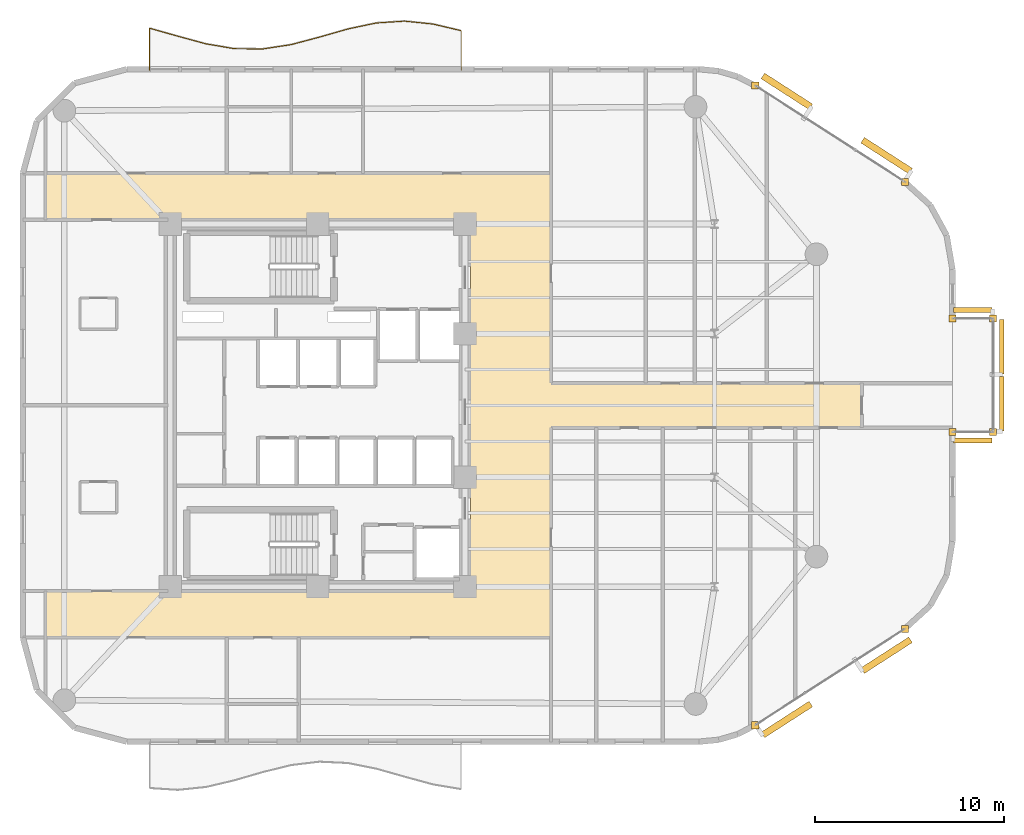
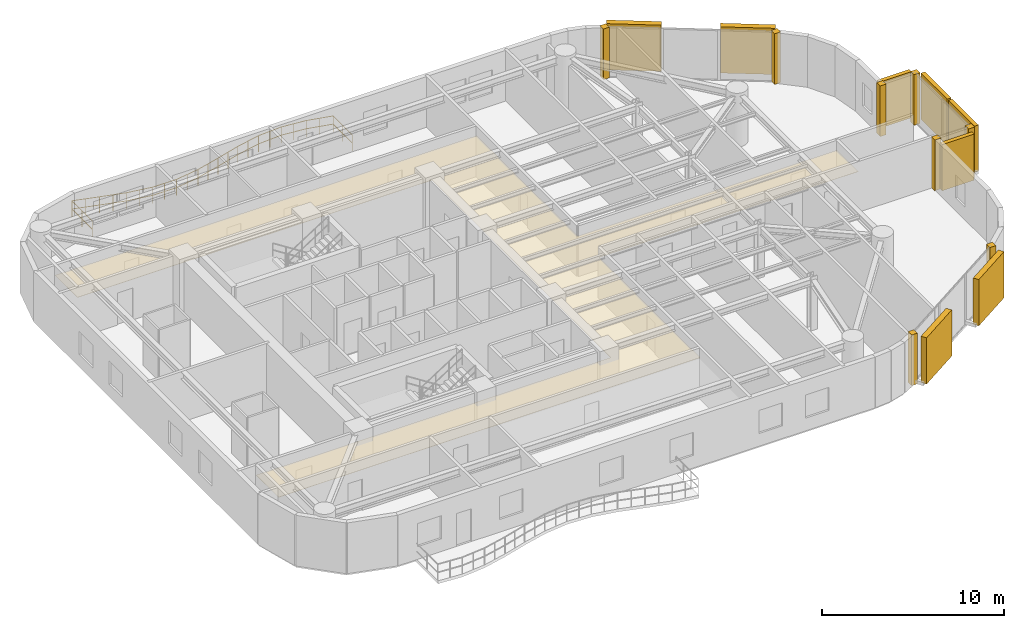
# One storey, part 13 of 13: 9 coverings, 8 shading devices, 1 railing.
"""IFC4 building model written with IfcOpenShell, lengths in metres."""

import ifcopenshell
import ifcopenshell.guid

model = None  # the IFC model being written
_history = None  # IfcOwnerHistory: only IFC2X3 demands one
_inside = {}  # id of a spatial element -> (the spatial element, [elements in it])
_under = {}  # id of a project, library or spatial element -> (it, [spatial elements below it])
_declared = {}  # id of a project -> (the project, [libraries it declares])
_typed = {}  # id of a type object -> (the type object, [elements of that type])
_made_of = {}  # id of a material, layer set ... -> (it, [elements and type objects made of it])


def new_model(schema):
    """Start an empty IFC model of exactly this schema.

    Asked for "IFC4X3", IfcOpenShell would pick the latest addendum, in which some entities
    have other attributes; the version numbers below select the first issue.
    IFC2X3 requires an IfcOwnerHistory on every rooted entity: one is made here for all.
    """
    global model, _history
    if schema == "IFC4X3":
        model = ifcopenshell.file(schema_version=(4, 3, 0, 0))
    else:
        model = ifcopenshell.file(schema=schema)
    _inside.clear()
    _under.clear()
    _declared.clear()
    _typed.clear()
    _made_of.clear()
    _history = None
    if model.schema == "IFC2X3":
        org = make("IfcOrganization", Name="unknown")
        user = make(
            "IfcPersonAndOrganization",
            ThePerson=make("IfcPerson", FamilyName="unknown"),
            TheOrganization=org,
        )
        app = make(
            "IfcApplication",
            ApplicationDeveloper=org,
            Version="unknown",
            ApplicationFullName="unknown",
            ApplicationIdentifier="unknown",
        )
        _history = make(
            "IfcOwnerHistory",
            OwningUser=user,
            OwningApplication=app,
            ChangeAction="ADDED",
            CreationDate=0,
        )
    return model


def make(cls, **values):
    """One entity of the class cls with the attributes given. An attribute that is None is left unset."""
    return model.create_entity(
        cls, **{name: value for name, value in values.items() if value is not None}
    )


def rooted(cls, **values):
    """An entity with a GlobalId (a new one), such as an element, a storey or a relation."""
    return make(cls, GlobalId=ifcopenshell.guid.new(), OwnerHistory=_history, **values)


def si_unit(unit_type, name, prefix=None):
    """IfcSIUnit, for example si_unit("LENGTHUNIT", "METRE", prefix="MILLI")."""
    return make("IfcSIUnit", UnitType=unit_type, Prefix=prefix, Name=name)


def assignment(units):
    """IfcUnitAssignment: the units of a project."""
    return None if units is None else make("IfcUnitAssignment", Units=units)


def point(xyz):
    """IfcCartesianPoint."""
    return None if xyz is None else make("IfcCartesianPoint", Coordinates=xyz)


def direction(xyz):
    """IfcDirection."""
    return None if xyz is None else make("IfcDirection", DirectionRatios=xyz)


def frame(location, z_axis=None, x_axis=None):
    """IfcAxis2Placement3D, a coordinate frame: its origin and axes. An axis left out is left unset."""
    return make(
        "IfcAxis2Placement3D",
        Location=point(location),
        Axis=direction(z_axis),
        RefDirection=direction(x_axis),
    )


def frame_2d(location, x_axis=None):
    """IfcAxis2Placement2D, a coordinate frame in the plane: its origin and x axis."""
    return make(
        "IfcAxis2Placement2D", Location=point(location), RefDirection=direction(x_axis)
    )


def origin():
    """The frame at (0, 0, 0) with its axes left unset."""
    return frame((0.0, 0.0, 0.0))


def origin_2d():
    """The frame at (0, 0) in the plane with its x axis left unset."""
    return frame_2d((0.0, 0.0))


def place(relative_to, where):
    """IfcLocalPlacement: puts the frame where relative to a parent placement (None: the world)."""
    return make(
        "IfcLocalPlacement", PlacementRelTo=relative_to, RelativePlacement=where
    )


def context(
    kind, dimensions, precision=None, world=None, true_north=None, identifier=None
):
    """IfcGeometricRepresentationContext, for example the 3D "Model" context."""
    return make(
        "IfcGeometricRepresentationContext",
        ContextIdentifier=identifier,
        ContextType=kind,
        CoordinateSpaceDimension=dimensions,
        Precision=precision,
        WorldCoordinateSystem=world,
        TrueNorth=true_north,
    )


def subcontext(parent, identifier, kind, view, scale=None):
    """IfcGeometricRepresentationSubContext, for example "Body" below "Model"."""
    return make(
        "IfcGeometricRepresentationSubContext",
        ContextIdentifier=identifier,
        ContextType=kind,
        ParentContext=parent,
        TargetScale=scale,
        TargetView=view,
    )


def project(units=None, contexts=None):
    """IfcProject with its units and contexts."""
    return rooted(
        "IfcProject",
        Name="project",
        RepresentationContexts=contexts,
        UnitsInContext=assignment(units),
    )


def spatial(cls, under=None, at=None, **own):
    """A site, building, storey or space (cls), placed at a placement, below another one or the project."""
    s = rooted(cls, ObjectPlacement=at, **own)
    if under is not None:
        _under.setdefault(under.id(), (under, []))[1].append(s)
    return s


def polyline(points):
    """IfcPolyline through the points."""
    return make("IfcPolyline", Points=[point(p) for p in points])


def profile(cls, at=None, kind="AREA", **sizes):
    """A parametric profile (cls). Its sizes go by their IFC names, for example OverallWidth=200.0."""
    return make(cls, ProfileType=kind, Position=at, **sizes)


def rectangle(**sizes):
    """IfcRectangleProfileDef."""
    return profile("IfcRectangleProfileDef", **sizes)


def circle(**sizes):
    """IfcCircleProfileDef."""
    return profile("IfcCircleProfileDef", **sizes)


def outline(outer, holes=None, kind="AREA"):
    """IfcArbitraryClosedProfileDef: a profile drawn as a closed curve; with holes, ...WithVoids."""
    if holes is None:
        return make("IfcArbitraryClosedProfileDef", ProfileType=kind, OuterCurve=outer)
    return make(
        "IfcArbitraryProfileDefWithVoids",
        ProfileType=kind,
        OuterCurve=outer,
        InnerCurves=holes,
    )


def extrude(swept, where, along, depth):
    """IfcExtrudedAreaSolid: the profile swept, set in the frame where, extruded along a direction by depth."""
    return make(
        "IfcExtrudedAreaSolid",
        SweptArea=swept,
        Position=where,
        ExtrudedDirection=direction(along),
        Depth=depth,
    )


def shape(context_of_items, identifier, shape_type, items):
    """IfcShapeRepresentation: the items that make up one representation, for example the "Body"."""
    return make(
        "IfcShapeRepresentation",
        ContextOfItems=context_of_items,
        RepresentationIdentifier=identifier,
        RepresentationType=shape_type,
        Items=items,
    )


def material(Name=None, Category=None):
    """IfcMaterial."""
    return make("IfcMaterial", Name=Name, Category=Category)


def layer(
    of_material, thickness, ventilated=None, Name=None, Category=None, Priority=None
):
    """IfcMaterialLayer: one layer of a wall or slab, of a material (None: an air gap)."""
    return make(
        "IfcMaterialLayer",
        Material=of_material,
        LayerThickness=thickness,
        IsVentilated=ventilated,
        Name=Name,
        Category=Category,
        Priority=Priority,
    )


def layer_set(layers, Name=None):
    """IfcMaterialLayerSet."""
    return make("IfcMaterialLayerSet", MaterialLayers=layers, LayerSetName=Name)


def made_of(thing, what):
    """Note that an element or type object is made of a material, layer set ...; save() writes the relation."""
    if what is not None:
        _made_of.setdefault(what.id(), (what, []))[1].append(thing)
    return thing


def type_object(cls, material=None, **own):
    """A type object (cls), such as IfcWallType, which elements share."""
    return made_of(rooted(cls, **own), material)


def element(
    cls,
    number,
    at=None,
    inside=None,
    cuts=None,
    type_object=None,
    material=None,
    context=None,
    identifier="Body",
    shape_type=None,
    held_by="IfcProductDefinitionShape",
    body=None,
    shapes=None,
    **own,
):
    """One element of the class cls, such as IfcWall. Its Tag is "e" and its number.

    at: its placement. inside: the storey or other place that contains it. cuts: it is an
    opening in that element (IfcRelVoidsElement). A single representation is given by context,
    identifier, shape_type and body (its items); several are given by shapes. held_by: the class
    of the entity that holds the representations. save() writes the other relations.
    """
    e = rooted(cls, Tag="e%d" % number, ObjectPlacement=at, **own)
    if body is not None:
        shapes = [shape(context, identifier, shape_type, body)]
    if shapes is not None:
        e.Representation = make(held_by, Representations=shapes)
    if inside is not None:
        _inside.setdefault(inside.id(), (inside, []))[1].append(e)
    if cuts is not None:
        rooted(
            "IfcRelVoidsElement", RelatingBuildingElement=cuts, RelatedOpeningElement=e
        )
    if type_object is not None:
        _typed.setdefault(type_object.id(), (type_object, []))[1].append(e)
    return made_of(e, material)


def aggregate(whole, parts):
    """IfcRelAggregates: a whole, such as a stair, and the parts it consists of."""
    return rooted("IfcRelAggregates", RelatingObject=whole, RelatedObjects=parts)


def save(model, path):
    """Write the relations noted so far, then the file.

    IfcRelAggregates (storeys below a building ...), IfcRelContainedInSpatialStructure (elements
    in a storey), IfcRelDefinesByType, IfcRelAssociatesMaterial and IfcRelDeclares: one each for
    every whole, place, type object, material and project.
    """
    for whole, parts in _under.values():
        aggregate(whole, parts)
    for where, things in _inside.values():
        rooted(
            "IfcRelContainedInSpatialStructure",
            RelatedElements=things,
            RelatingStructure=where,
        )
    for kind, things in _typed.values():
        rooted("IfcRelDefinesByType", RelatedObjects=things, RelatingType=kind)
    for what, things in _made_of.values():
        rooted("IfcRelAssociatesMaterial", RelatedObjects=things, RelatingMaterial=what)
    for by, libraries in _declared.values():
        rooted("IfcRelDeclares", RelatingContext=by, RelatedDefinitions=libraries)
    model.write(path)


model = new_model("IFC4")

# Units and contexts
model_context = context("Model", 3, precision=1e-05, world=origin(), true_north=direction((0.0, 1.0)))
body_context = subcontext(model_context, "Body", "Model", "MODEL_VIEW")
ifc_project = project(units=[si_unit("LENGTHUNIT", "METRE"), si_unit("AREAUNIT", "SQUARE_METRE"), si_unit("VOLUMEUNIT", "CUBIC_METRE"), si_unit("PLANEANGLEUNIT", "RADIAN"), si_unit("MASSUNIT", "GRAM", prefix="KILO")], contexts=[model_context])

# Site, building, storey
site_placement = place(None, origin())
site = spatial("IfcSite", under=ifc_project, at=site_placement, CompositionType="ELEMENT")
building_placement = place(site_placement, origin())
building = spatial("IfcBuilding", under=site, at=building_placement, Name="An Khanh Terracotta Commons", CompositionType="ELEMENT")
storey_placement = place(building_placement, frame((0.0, 0.0, 183.39990234375)))
storey = spatial("IfcBuildingStorey", under=building, at=storey_placement, Name="L48", CompositionType="ELEMENT", Elevation=183.39990234375)

# Coverings
ifc_material_1 = material(Name="Perforated Mineral-Fibre Acoustic Tile")
ifc_layer_1 = layer(ifc_material_1, 0.02001953125, Name="Perforated Mineral-Fibre Acoustic Tile")
ifc_layer_set_1 = layer_set([ifc_layer_1], Name="Perforated Mineral-Fibre Acoustic Tile")
covering_type_1 = type_object("IfcCoveringType", Name="CEIL-ACOUSTIC-18", PredefinedType="CEILING", material=ifc_layer_set_1)
covering_placement = place(storey_placement, frame((0.0, 0.0, 2.650146484375)))
element("IfcCovering", 1, at=covering_placement, inside=storey, type_object=covering_type_1, Name="L48 Corridor Ceiling", PredefinedType="CEILING", context=body_context, shape_type="SweptSolid", body=[
    extrude(outline(polyline([(15.0, 11.719970703125), (15.0, 14.179931640625), (37.5, 14.179931640625), (37.5, 33.820068359375), (15.0, 33.820068359375), (15.0, 36.280029296875), (37.5, 36.280029296875), (41.75, 36.280029296875), (41.75, 33.820068359375), (41.75, 25.179931640625), (58.199951171875, 25.179931640625), (58.199951171875, 22.820068359375), (41.75, 22.820068359375), (41.75, 14.179931640625), (41.75, 11.719970703125), (37.5, 11.719970703125), (15.0, 11.719970703125)])), origin(), (0.0, 0.0, 1.0), 0.02001953125),
])
ifc_material_2 = material(Name="Fired Terracotta Rainscreen Cladding", Category="masonry")
ifc_layer_2 = layer(ifc_material_2, 0.080078125, Name="Fired Terracotta Rainscreen Cladding")
ifc_layer_set_2 = layer_set([ifc_layer_2], Name="Fired Terracotta Rainscreen Cladding")
covering_type_2 = type_object("IfcCoveringType", Name="COV-JAMB-TERRA", PredefinedType="CLADDING", material=ifc_layer_set_2)
for number, where, z_axis, x_axis, name in (
    (2, (52.56005859375, 7.075927734375, 0.000244140625), (0.0, 0.0, 1.0), (1.0, 0.0, 0.0), "L48 CW-03 Curtain-Wall Jamb Closure JA"),
    (3, (60.47802734375, 12.176025390625, 0.000244140625), (0.0, 0.0, 1.0), (1.0, 0.0, 0.0), "L48 CW-03 Curtain-Wall Jamb Closure JB"),
    (4, (65.14990234375, 22.60009765625, 0.000244140625), (0.0, 0.0, 1.0), (1.0, 0.0, 0.0), "L48 CW-04 Curtain-Wall Jamb Closure JA"),
    (5, (65.14990234375, 28.60009765625, 0.000244140625), (0.0, 0.0, 1.0), (1.0, 0.0, 0.0), "L48 CW-04 Curtain-Wall Jamb Closure JB"),
    (6, (63.0, 22.60009765625, 0.000244140625), (0.0, 0.0, 1.0), (1.0, 0.0, 0.0), "L48 CW-04 Curtain-Wall Jamb Closure JA"),
    (7, (63.0, 28.60009765625, 0.000244140625), (0.0, 0.0, 1.0), (1.0, 0.0, 0.0), "L48 CW-04 Curtain-Wall Jamb Closure JB"),
    (8, (60.47802734375, 35.823974609375, 0.000244140625), (0.0, 0.0, 1.0), (1.0, 0.0, 0.0), "L48 CW-03 Curtain-Wall Jamb Closure JA"),
    (9, (52.56005859375, 40.924072265625, 0.000244140625), (0.0, 0.0, 1.0), (1.0, 0.0, 0.0), "L48 CW-03 Curtain-Wall Jamb Closure JB"),
):
    element("IfcCovering", number, at=place(storey_placement, frame(where, z_axis=z_axis, x_axis=x_axis)), inside=storey, type_object=covering_type_2, Name=name, PredefinedType="CLADDING", context=body_context, shape_type="SweptSolid", body=[
        extrude(rectangle(XDim=0.3798828125, YDim=0.3798828125, at=origin_2d()), origin(), (0.0, 0.0, 1.0), 3.39990234375),
    ])

# Railing
ifc_material_3 = material(Name="Brushed Stainless Steel 316", Category="steel")
railing_type = type_object("IfcRailingType", Name="RAIL-BALUSTRADE-1100", PredefinedType="BALUSTRADE", material=ifc_material_3)
railing_placement = place(storey_placement, frame((37.0, 41.739990234375, 0.0)))
element("IfcRailing", 10, at=railing_placement, inside=storey, type_object=railing_type, Name="L48 N Wave Balcony Guard Balustrade", PredefinedType="BALUSTRADE", context=body_context, shape_type="SweptSolid", body=[
    extrude(circle(Radius=0.02392578125, at=origin_2d()), frame((0.0, 0.0, 1.076171875), z_axis=(0.0, 1.0, 0.0), x_axis=(-1.0, 0.0, 0.0)), (0.0, 0.0, 1.0), 2.091064453125),
    extrude(circle(Radius=0.02392578125, at=origin_2d()), frame((0.0, 0.0, 0.52587890625), z_axis=(0.0, 1.0, 0.0), x_axis=(-1.0, 0.0, 0.0)), (0.0, 0.0, 1.0), 2.091064453125),
    extrude(circle(Radius=0.02392578125, at=origin_2d()), frame((0.0, 2.091064453125, 1.076171875), z_axis=(-0.973263214687, 0.229692653206, 0.0), x_axis=(-0.229692653206, -0.973263214687, 0.0)), (0.0, 0.0, 1.0), 1.541259765625),
    extrude(circle(Radius=0.02392578125, at=origin_2d()), frame((0.0, 2.091064453125, 0.52587890625), z_axis=(-0.973263214687, 0.229692653206, 0.0), x_axis=(-0.229692653206, -0.973263214687, 0.0)), (0.0, 0.0, 1.0), 1.541259765625),
    extrude(circle(Radius=0.02392578125, at=origin_2d()), frame((-1.5, 2.445068359375, 1.076171875), z_axis=(-0.994849482387, 0.101363244788, 0.0), x_axis=(-0.101363244788, -0.994849482387, 0.0)), (0.0, 0.0, 1.0), 1.5078125),
    extrude(circle(Radius=0.02392578125, at=origin_2d()), frame((-1.5, 2.445068359375, 0.52587890625), z_axis=(-0.994849482387, 0.101363244788, 0.0), x_axis=(-0.101363244788, -0.994849482387, 0.0)), (0.0, 0.0, 1.0), 1.5078125),
    extrude(circle(Radius=0.02392578125, at=origin_2d()), frame((-3.0, 2.597900390625, 1.076171875), z_axis=(-0.99787689467, -0.065128358523, 0.0), x_axis=(0.065128358523, -0.99787689467, 0.0)), (0.0, 0.0, 1.0), 1.503173828125),
    extrude(circle(Radius=0.02392578125, at=origin_2d()), frame((-3.0, 2.597900390625, 0.52587890625), z_axis=(-0.99787689467, -0.065128358523, 0.0), x_axis=(0.065128358523, -0.99787689467, 0.0)), (0.0, 0.0, 1.0), 1.503173828125),
    extrude(circle(Radius=0.02392578125, at=origin_2d()), frame((-4.5, 2.5, 1.076171875), z_axis=(-0.978275241205, -0.207310280607, 0.0), x_axis=(0.207310280607, -0.978275241205, 0.0)), (0.0, 0.0, 1.0), 1.533203125),
    extrude(circle(Radius=0.02392578125, at=origin_2d()), frame((-4.5, 2.5, 0.52587890625), z_axis=(-0.978275241205, -0.207310280607, 0.0), x_axis=(0.207310280607, -0.978275241205, 0.0)), (0.0, 0.0, 1.0), 1.533203125),
    extrude(circle(Radius=0.02392578125, at=origin_2d()), frame((-6.0, 2.18212890625, 1.076171875), z_axis=(-0.961251897699, -0.275671524047, 0.0), x_axis=(0.275671524047, -0.961251897699, 0.0)), (0.0, 0.0, 1.0), 1.560546875),
    extrude(circle(Radius=0.02392578125, at=origin_2d()), frame((-6.0, 2.18212890625, 0.52587890625), z_axis=(-0.961251897699, -0.275671524047, 0.0), x_axis=(0.275671524047, -0.961251897699, 0.0)), (0.0, 0.0, 1.0), 1.560546875),
    extrude(circle(Radius=0.02392578125, at=origin_2d()), frame((-7.5, 1.751953125, 1.076171875), z_axis=(-0.966718963822, -0.255840663277, 0.0), x_axis=(0.255840663277, -0.966718963822, 0.0)), (0.0, 0.0, 1.0), 1.5517578125),
    extrude(circle(Radius=0.02392578125, at=origin_2d()), frame((-7.5, 1.751953125, 0.52587890625), z_axis=(-0.966718963822, -0.255840663277, 0.0), x_axis=(0.255840663277, -0.966718963822, 0.0)), (0.0, 0.0, 1.0), 1.5517578125),
    extrude(circle(Radius=0.02392578125, at=origin_2d()), frame((-9.0, 1.35498046875, 1.076171875), z_axis=(-0.988545890906, -0.15092058035, 0.0), x_axis=(0.15092058035, -0.988545890906, 0.0)), (0.0, 0.0, 1.0), 1.517333984375),
    extrude(circle(Radius=0.02392578125, at=origin_2d()), frame((-9.0, 1.35498046875, 0.52587890625), z_axis=(-0.988545890906, -0.15092058035, 0.0), x_axis=(0.15092058035, -0.988545890906, 0.0)), (0.0, 0.0, 1.0), 1.517333984375),
    extrude(circle(Radius=0.02392578125, at=origin_2d()), frame((-10.5, 1.1259765625, 1.076171875), z_axis=(-0.999956968224, 0.009276944529, 0.0), x_axis=(-0.009276944529, -0.999956968224, 0.0)), (0.0, 0.0, 1.0), 1.5),
    extrude(circle(Radius=0.02392578125, at=origin_2d()), frame((-10.5, 1.1259765625, 0.52587890625), z_axis=(-0.999956968224, 0.009276944529, 0.0), x_axis=(-0.009276944529, -0.999956968224, 0.0)), (0.0, 0.0, 1.0), 1.5),
    extrude(circle(Radius=0.02392578125, at=origin_2d()), frame((-12.0, 1.139892578125, 1.076171875), z_axis=(-0.986053503704, 0.166428626846, 0.0), x_axis=(-0.166428626846, -0.986053503704, 0.0)), (0.0, 0.0, 1.0), 1.521240234375),
    extrude(circle(Radius=0.02392578125, at=origin_2d()), frame((-12.0, 1.139892578125, 0.52587890625), z_axis=(-0.986053503704, 0.166428626846, 0.0), x_axis=(-0.166428626846, -0.986053503704, 0.0)), (0.0, 0.0, 1.0), 1.521240234375),
    extrude(circle(Radius=0.02392578125, at=origin_2d()), frame((-13.5, 1.39306640625, 1.076171875), z_axis=(-0.964948425307, 0.262439586375, 0.0), x_axis=(-0.262439586375, -0.964948425307, 0.0)), (0.0, 0.0, 1.0), 1.554443359375),
    extrude(circle(Radius=0.02392578125, at=origin_2d()), frame((-13.5, 1.39306640625, 0.52587890625), z_axis=(-0.964948425307, 0.262439586375, 0.0), x_axis=(-0.262439586375, -0.964948425307, 0.0)), (0.0, 0.0, 1.0), 1.554443359375),
    extrude(circle(Radius=0.02392578125, at=origin_2d()), frame((-15.0, 1.801025390625, 1.076171875), z_axis=(-0.962282666556, 0.272051593719, 0.0), x_axis=(-0.272051593719, -0.962282666556, 0.0)), (0.0, 0.0, 1.0), 1.558837890625),
    extrude(circle(Radius=0.02392578125, at=origin_2d()), frame((-15.0, 1.801025390625, 0.52587890625), z_axis=(-0.962282666556, 0.272051593719, 0.0), x_axis=(-0.272051593719, -0.962282666556, 0.0)), (0.0, 0.0, 1.0), 1.558837890625),
    extrude(circle(Radius=0.02392578125, at=origin_2d()), frame((-16.5, 2.22509765625, 1.076171875), z_axis=(0.0, -1.0, 0.0), x_axis=(1.0, 0.0, 0.0)), (0.0, 0.0, 1.0), 2.22509765625),
    extrude(circle(Radius=0.02392578125, at=origin_2d()), frame((-16.5, 2.22509765625, 0.52587890625), z_axis=(0.0, -1.0, 0.0), x_axis=(1.0, 0.0, 0.0)), (0.0, 0.0, 1.0), 2.22509765625),
    extrude(circle(Radius=0.02099609375, at=origin_2d()), origin(), (0.0, 0.0, 1.0), 1.052001953125),
    extrude(circle(Radius=0.02099609375, at=origin_2d()), frame((0.0, 1.04541015625, 0.0)), (0.0, 0.0, 1.0), 1.052001953125),
    extrude(circle(Radius=0.02099609375, at=origin_2d()), frame((0.0, 2.091064453125, 0.0)), (0.0, 0.0, 1.0), 1.052001953125),
    extrude(circle(Radius=0.02099609375, at=origin_2d()), frame((-0.75, 2.26806640625, 0.0)), (0.0, 0.0, 1.0), 1.052001953125),
    extrude(circle(Radius=0.02099609375, at=origin_2d()), frame((-1.5, 2.445068359375, 0.0)), (0.0, 0.0, 1.0), 1.052001953125),
    extrude(circle(Radius=0.02099609375, at=origin_2d()), frame((-2.25, 2.521484375, 0.0)), (0.0, 0.0, 1.0), 1.052001953125),
    extrude(circle(Radius=0.02099609375, at=origin_2d()), frame((-3.0, 2.597900390625, 0.0)), (0.0, 0.0, 1.0), 1.052001953125),
    extrude(circle(Radius=0.02099609375, at=origin_2d()), frame((-3.75, 2.548828125, 0.0)), (0.0, 0.0, 1.0), 1.052001953125),
    extrude(circle(Radius=0.02099609375, at=origin_2d()), frame((-4.5, 2.5, 0.0)), (0.0, 0.0, 1.0), 1.052001953125),
    extrude(circle(Radius=0.02099609375, at=origin_2d()), frame((-5.25, 2.341064453125, 0.0)), (0.0, 0.0, 1.0), 1.052001953125),
    extrude(circle(Radius=0.02099609375, at=origin_2d()), frame((-6.0, 2.18212890625, 0.0)), (0.0, 0.0, 1.0), 1.052001953125),
    extrude(circle(Radius=0.02099609375, at=origin_2d()), frame((-6.75, 1.967041015625, 0.0)), (0.0, 0.0, 1.0), 1.052001953125),
    extrude(circle(Radius=0.02099609375, at=origin_2d()), frame((-7.5, 1.751953125, 0.0)), (0.0, 0.0, 1.0), 1.052001953125),
    extrude(circle(Radius=0.02099609375, at=origin_2d()), frame((-8.25, 1.553466796875, 0.0)), (0.0, 0.0, 1.0), 1.052001953125),
    extrude(circle(Radius=0.02099609375, at=origin_2d()), frame((-9.0, 1.35498046875, 0.0)), (0.0, 0.0, 1.0), 1.052001953125),
    extrude(circle(Radius=0.02099609375, at=origin_2d()), frame((-9.75, 1.240478515625, 0.0)), (0.0, 0.0, 1.0), 1.052001953125),
    extrude(circle(Radius=0.02099609375, at=origin_2d()), frame((-10.5, 1.1259765625, 0.0)), (0.0, 0.0, 1.0), 1.052001953125),
    extrude(circle(Radius=0.02099609375, at=origin_2d()), frame((-11.25, 1.1328125, 0.0)), (0.0, 0.0, 1.0), 1.052001953125),
    extrude(circle(Radius=0.02099609375, at=origin_2d()), frame((-12.0, 1.139892578125, 0.0)), (0.0, 0.0, 1.0), 1.052001953125),
    extrude(circle(Radius=0.02099609375, at=origin_2d()), frame((-12.75, 1.2666015625, 0.0)), (0.0, 0.0, 1.0), 1.052001953125),
    extrude(circle(Radius=0.02099609375, at=origin_2d()), frame((-13.5, 1.39306640625, 0.0)), (0.0, 0.0, 1.0), 1.052001953125),
    extrude(circle(Radius=0.02099609375, at=origin_2d()), frame((-14.25, 1.59716796875, 0.0)), (0.0, 0.0, 1.0), 1.052001953125),
    extrude(circle(Radius=0.02099609375, at=origin_2d()), frame((-15.0, 1.801025390625, 0.0)), (0.0, 0.0, 1.0), 1.052001953125),
    extrude(circle(Radius=0.02099609375, at=origin_2d()), frame((-15.75, 2.01318359375, 0.0)), (0.0, 0.0, 1.0), 1.052001953125),
    extrude(circle(Radius=0.02099609375, at=origin_2d()), frame((-16.5, 2.22509765625, 0.0)), (0.0, 0.0, 1.0), 1.052001953125),
    extrude(circle(Radius=0.02099609375, at=origin_2d()), frame((-16.5, 1.112548828125, 0.0)), (0.0, 0.0, 1.0), 1.052001953125),
    extrude(circle(Radius=0.02099609375, at=origin_2d()), frame((-16.5, 0.0, 0.0)), (0.0, 0.0, 1.0), 1.052001953125),
])

# Shading devices
ifc_material_4 = material(Name="Warm Hardwood Timber-Finish Aluminium", Category="wood")
shading_device_type_1 = type_object("IfcShadingDeviceType", Name="Shifted Box Timber-Toned Louvre Screen", PredefinedType="USERDEFINED", material=ifc_material_4)
for number, where, z_axis, x_axis, name in (
    (11, (65.60009765625, 24.10009765625, 0.150146484375), (0.0, 0.0, 1.0), (0.0, 1.0, 0.0), "L48 Louvre Screen 1"),
    (12, (65.60009765625, 27.10009765625, 0.150146484375), (0.0, 0.0, 1.0), (0.0, 1.0, 0.0), "L48 Louvre Screen 2"),
):
    element("IfcShadingDevice", number, at=place(storey_placement, frame(where, z_axis=z_axis, x_axis=x_axis)), inside=storey, type_object=shading_device_type_1, Name=name, ObjectType="LOUVRE", PredefinedType="USERDEFINED", context=body_context, shape_type="SweptSolid", body=[
        extrude(rectangle(XDim=2.8798828125, YDim=0.25, at=origin_2d()), origin(), (0.0, 0.0, 1.0), 3.10009765625),
    ])
for number, where, z_axis, x_axis, name in (
    (13, (64.074951171875, 22.14990234375, 0.150146484375), (0.0, 0.0, 1.0), (1.0, 0.0, 0.0), "L48 Louvre Screen 1"),
    (14, (64.074951171875, 29.050048828125, 0.150146484375), (0.0, 0.0, 1.0), (-1.0, 0.0, 0.0), "L48 Louvre Screen 1"),
):
    element("IfcShadingDevice", number, at=place(storey_placement, frame(where, z_axis=z_axis, x_axis=x_axis)), inside=storey, type_object=shading_device_type_1, Name=name, ObjectType="LOUVRE", PredefinedType="USERDEFINED", context=body_context, shape_type="SweptSolid", body=[
        extrude(rectangle(XDim=2.030029296875, YDim=0.25, at=origin_2d()), origin(), (0.0, 0.0, 1.0), 3.10009765625),
    ])
ifc_material_5 = material(Name="Extruded Fired Terracotta", Category="masonry")
shading_device_type_2 = type_object("IfcShadingDeviceType", Name="Terracotta Baguette Screen Assembly", PredefinedType="USERDEFINED", material=ifc_material_5)
for number, where, z_axis, x_axis, name in (
    (15, (54.23193359375, 7.3798828125, 0.150146484375), (0.0, 0.0, 1.0), (0.840702081986, 0.541497931062, 0.0), "L48 Terracotta Baguette Screen 1"),
    (16, (59.510009765625, 10.780029296875, 0.150146484375), (0.0, 0.0, 1.0), (0.840702081986, 0.541497931062, 0.0), "L48 Terracotta Baguette Screen 3"),
    (17, (59.510009765625, 37.219970703125, 0.150146484375), (0.0, 0.0, 1.0), (-0.840702081986, 0.541497931062, 0.0), "L48 Terracotta Baguette Screen 1"),
    (18, (54.23193359375, 40.6201171875, 0.150146484375), (0.0, 0.0, 1.0), (-0.840702081986, 0.541497931062, 0.0), "L48 Terracotta Baguette Screen 3"),
):
    element("IfcShadingDevice", number, at=place(storey_placement, frame(where, z_axis=z_axis, x_axis=x_axis)), inside=storey, type_object=shading_device_type_2, Name=name, ObjectType="BAGUETTE", PredefinedType="USERDEFINED", context=body_context, shape_type="SweptSolid", body=[
        extrude(rectangle(XDim=3.01904296875, YDim=0.35009765625, at=origin_2d()), origin(), (0.0, 0.0, 1.0), 3.10009765625),
    ])

save(model, "model.ifc")
